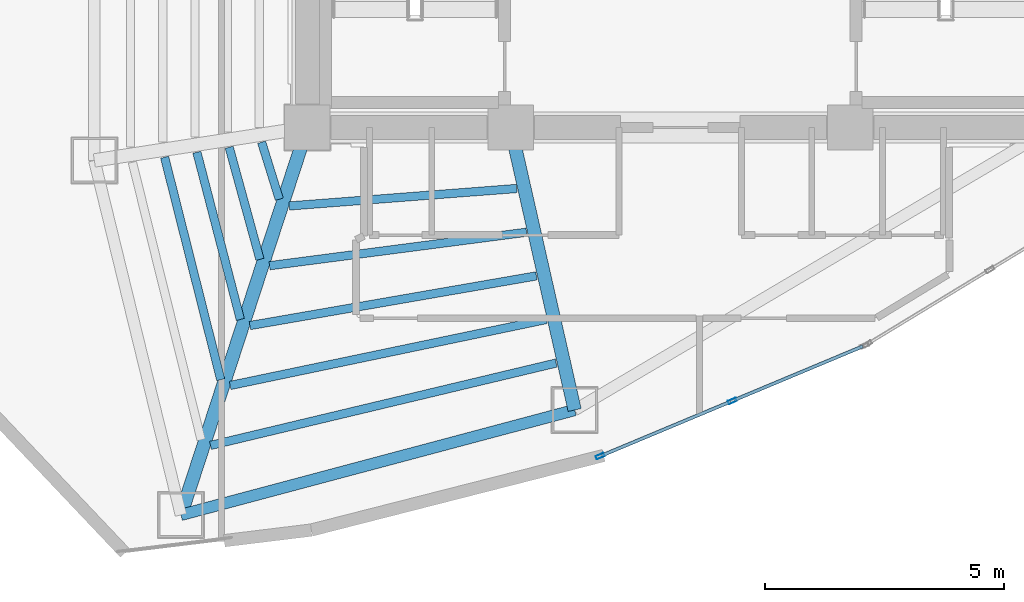
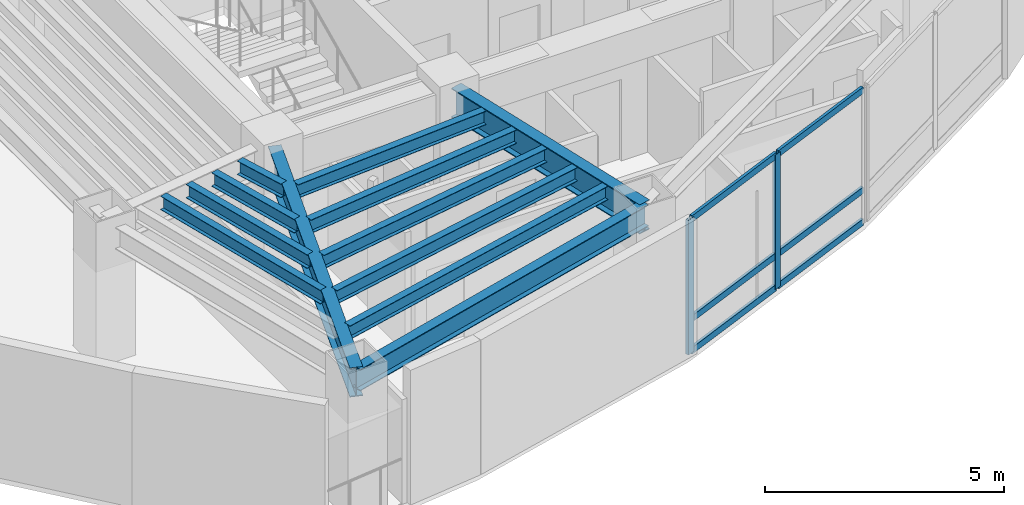
# One storey, part 3 of 16: 12 beams, 8 members, 1 element without a shape of its own.
"""IFC4 building model written with IfcOpenShell, lengths in metres."""

from ifc_helpers import new_model, si_unit, direction, frame, origin, origin_2d, place, context, subcontext, project, spatial, hollow_rectangle, i_section, extrude, material, layer, layer_set, material_profile, profile_set, type_object, element, aggregate, save


model = new_model("IFC4")

# Units and contexts
model_context = context("Model", 3, precision=1e-05, world=origin(), true_north=direction((0.0, 1.0)))
body_context = subcontext(model_context, "Body", "Model", "MODEL_VIEW")
ifc_project = project(units=[si_unit("LENGTHUNIT", "METRE"), si_unit("AREAUNIT", "SQUARE_METRE"), si_unit("VOLUMEUNIT", "CUBIC_METRE"), si_unit("PLANEANGLEUNIT", "RADIAN"), si_unit("MASSUNIT", "GRAM", prefix="KILO")], contexts=[model_context])

# Site, building, storey
site_placement = place(None, origin())
site = spatial("IfcSite", under=ifc_project, at=site_placement, CompositionType="ELEMENT")
building_placement = place(site_placement, origin())
building = spatial("IfcBuilding", under=site, at=building_placement, Name="Menara Vayukalpa", CompositionType="ELEMENT")
storey_placement = place(building_placement, frame((0.0, 0.0, 202.679931640625)))
storey = spatial("IfcBuildingStorey", under=building, at=storey_placement, Name="L51", CompositionType="ELEMENT", Elevation=202.679931640625)

# Beams
ifc_material_1 = material(Name="Steel S355", Category="steel")
ifc_material_profile_1 = material_profile(ifc_material_1, i_section(OverallWidth=0.280029296875, OverallDepth=0.75, WebThickness=0.013916015625, FlangeThickness=0.02490234375, at=origin_2d()), Name="WF 750x280x14x25")
ifc_profile_set_1 = profile_set([ifc_material_profile_1], Name="Steel S355")
beam_type_1 = type_object("IfcBeamType", Name="BM-PG4", PredefinedType="BEAM", material=ifc_profile_set_1)
beam_1_placement = place(storey_placement, frame((17.722412109375, 16.96240234375, 3.065185546875), z_axis=(-0.310343552153, -0.950624468251, 0.0), x_axis=(0.950624468251, -0.310343552153, 0.0)))
element("IfcBeam", 1, at=beam_1_placement, inside=storey, type_object=beam_type_1, Name="L51 Primary Radial Girder RG07", PredefinedType="BEAM", context=body_context, shape_type="SweptSolid", body=[
    extrude(i_section(OverallWidth=0.280029296875, OverallDepth=0.75, WebThickness=0.013916015625, FlangeThickness=0.02490234375, at=origin_2d()), origin(), (0.0, 0.0, 1.0), 8.2734375),
])
beam_2_placement = place(storey_placement, frame((22.105224609375, 16.956298828125, 3.065185546875), z_axis=(0.221085149161, -0.975254508741, 0.0), x_axis=(0.975254508741, 0.221085149161, 0.0)))
element("IfcBeam", 2, at=beam_2_placement, inside=storey, type_object=beam_type_1, Name="L51 Primary Radial Girder RG08", PredefinedType="BEAM", context=body_context, shape_type="SweptSolid", body=[
    extrude(i_section(OverallWidth=0.280029296875, OverallDepth=0.75, WebThickness=0.013916015625, FlangeThickness=0.02490234375, at=origin_2d()), origin(), (0.0, 0.0, 1.0), 5.80859375),
])
ifc_material_2 = material(Name="Steel S355", Category="steel")
ifc_material_profile_2 = material_profile(ifc_material_2, i_section(OverallWidth=0.175048828125, OverallDepth=0.35009765625, WebThickness=0.007080078125, FlangeThickness=0.010986328125, at=origin_2d()), Name="WF 350x175x7x11")
ifc_profile_set_2 = profile_set([ifc_material_profile_2], Name="Steel S355")
beam_type_2 = type_object("IfcBeamType", Name="BM-SJ3", PredefinedType="JOIST", material=ifc_profile_set_2)
beam_3_placement = place(storey_placement, frame((16.8427734375, 16.891845703125, 3.26513671875), z_axis=(0.296448419226, -0.955048865105, 0.0), x_axis=(0.955048865105, 0.296448419226, 0.0)))
element("IfcBeam", 3, at=beam_3_placement, inside=storey, type_object=beam_type_2, Name="L51 Secondary Floor Joist SJ06-1", PredefinedType="JOIST", context=body_context, shape_type="SweptSolid", body=[
    extrude(i_section(OverallWidth=0.175048828125, OverallDepth=0.35009765625, WebThickness=0.007080078125, FlangeThickness=0.010986328125, at=origin_2d()), origin(), (0.0, 0.0, 1.0), 1.24853515625),
])
beam_4_placement = place(storey_placement, frame((16.164306640625, 16.7861328125, 3.26513671875), z_axis=(0.264502665082, -0.964384954344, 0.0), x_axis=(0.964384954344, 0.264502665082, 0.0)))
element("IfcBeam", 4, at=beam_4_placement, inside=storey, type_object=beam_type_2, Name="L51 Secondary Floor Joist SJ06-2", PredefinedType="JOIST", context=body_context, shape_type="SweptSolid", body=[
    extrude(i_section(OverallWidth=0.175048828125, OverallDepth=0.35009765625, WebThickness=0.007080078125, FlangeThickness=0.010986328125, at=origin_2d()), origin(), (0.0, 0.0, 1.0), 2.430419921875),
])
beam_5_placement = place(storey_placement, frame((15.48876953125, 16.681396484375, 3.26513671875), z_axis=(0.251714869346, -0.967801438597, 0.0), x_axis=(0.967801438597, 0.251714869346, 0.0)))
element("IfcBeam", 5, at=beam_5_placement, inside=storey, type_object=beam_type_2, Name="L51 Secondary Floor Joist SJ06-3", PredefinedType="JOIST", context=body_context, shape_type="SweptSolid", body=[
    extrude(i_section(OverallWidth=0.175048828125, OverallDepth=0.35009765625, WebThickness=0.007080078125, FlangeThickness=0.010986328125, at=origin_2d()), origin(), (0.0, 0.0, 1.0), 3.61279296875),
])
beam_6_placement = place(storey_placement, frame((14.814208984375, 16.576904296875, 3.26513671875), z_axis=(0.24483447751, -0.969564891393, 0.0), x_axis=(0.969564891393, 0.24483447751, 0.0)))
element("IfcBeam", 6, at=beam_6_placement, inside=storey, type_object=beam_type_2, Name="L51 Secondary Floor Joist SJ06-4", PredefinedType="JOIST", context=body_context, shape_type="SweptSolid", body=[
    extrude(i_section(OverallWidth=0.175048828125, OverallDepth=0.35009765625, WebThickness=0.007080078125, FlangeThickness=0.010986328125, at=origin_2d()), origin(), (0.0, 0.0, 1.0), 4.79638671875),
])
beam_7_placement = place(storey_placement, frame((17.419921875, 15.558837890625, 3.26513671875), z_axis=(0.997061705182, 0.076602585202, 0.0), x_axis=(-0.076602585202, 0.997061705182, 0.0)))
element("IfcBeam", 7, at=beam_7_placement, inside=storey, type_object=beam_type_2, Name="L51 Secondary Floor Joist SJ07-1", PredefinedType="JOIST", context=body_context, shape_type="SweptSolid", body=[
    extrude(i_section(OverallWidth=0.175048828125, OverallDepth=0.35009765625, WebThickness=0.007080078125, FlangeThickness=0.010986328125, at=origin_2d()), origin(), (0.0, 0.0, 1.0), 4.77099609375),
])
beam_8_placement = place(storey_placement, frame((17.008056640625, 14.308837890625, 3.26513671875), z_axis=(0.99161070493, 0.129260240866, 0.0), x_axis=(-0.129260240866, 0.99161070493, 0.0)))
element("IfcBeam", 8, at=beam_8_placement, inside=storey, type_object=beam_type_2, Name="L51 Secondary Floor Joist SJ07-2", PredefinedType="JOIST", context=body_context, shape_type="SweptSolid", body=[
    extrude(i_section(OverallWidth=0.175048828125, OverallDepth=0.35009765625, WebThickness=0.007080078125, FlangeThickness=0.010986328125, at=origin_2d()), origin(), (0.0, 0.0, 1.0), 5.420654296875),
])
beam_9_placement = place(storey_placement, frame((16.59619140625, 13.05712890625, 3.26513671875), z_axis=(0.985288833054, 0.170897382832, 0.0), x_axis=(-0.170897382832, 0.985288833054, 0.0)))
element("IfcBeam", 9, at=beam_9_placement, inside=storey, type_object=beam_type_2, Name="L51 Secondary Floor Joist SJ07-3", PredefinedType="JOIST", context=body_context, shape_type="SweptSolid", body=[
    extrude(i_section(OverallWidth=0.175048828125, OverallDepth=0.35009765625, WebThickness=0.007080078125, FlangeThickness=0.010986328125, at=origin_2d()), origin(), (0.0, 0.0, 1.0), 6.0830078125),
])
beam_10_placement = place(storey_placement, frame((16.184326171875, 11.80419921875, 3.26513671875), z_axis=(0.97888709748, 0.204401688806, 0.0), x_axis=(-0.204401688806, 0.97888709748, 0.0)))
element("IfcBeam", 10, at=beam_10_placement, inside=storey, type_object=beam_type_2, Name="L51 Secondary Floor Joist SJ07-4", PredefinedType="JOIST", context=body_context, shape_type="SweptSolid", body=[
    extrude(i_section(OverallWidth=0.175048828125, OverallDepth=0.35009765625, WebThickness=0.007080078125, FlangeThickness=0.010986328125, at=origin_2d()), origin(), (0.0, 0.0, 1.0), 6.75439453125),
])
beam_11_placement = place(storey_placement, frame((15.772705078125, 10.55029296875, 3.26513671875), z_axis=(0.972731800574, 0.231932844055, 0.0), x_axis=(-0.231932844055, 0.972731800574, 0.0)))
element("IfcBeam", 11, at=beam_11_placement, inside=storey, type_object=beam_type_2, Name="L51 Secondary Floor Joist SJ07-5", PredefinedType="JOIST", context=body_context, shape_type="SweptSolid", body=[
    extrude(i_section(OverallWidth=0.175048828125, OverallDepth=0.35009765625, WebThickness=0.007080078125, FlangeThickness=0.010986328125, at=origin_2d()), origin(), (0.0, 0.0, 1.0), 7.4326171875),
])
ifc_material_3 = material(Name="Steel S355", Category="steel")
ifc_material_profile_3 = material_profile(ifc_material_3, i_section(OverallWidth=0.239990234375, OverallDepth=0.550048828125, WebThickness=0.010986328125, FlangeThickness=0.01904296875, at=origin_2d()), Name="WF 550x240x11x19")
ifc_profile_set_3 = profile_set([ifc_material_profile_3], Name="Steel S355")
beam_type_3 = type_object("IfcBeamType", Name="BM-SP2", PredefinedType="SPANDREL", material=ifc_profile_set_3)
beam_12_placement = place(storey_placement, frame((15.15478515625, 9.097412109375, 3.1650390625), z_axis=(0.966287699272, 0.25746472037, 0.0), x_axis=(-0.25746472037, 0.966287699272, 0.0)))
element("IfcBeam", 12, at=beam_12_placement, inside=storey, type_object=beam_type_3, Name="L51 Perimeter Spandrel Beam SP07", PredefinedType="SPANDREL", context=body_context, shape_type="SweptSolid", body=[
    extrude(i_section(OverallWidth=0.239990234375, OverallDepth=0.550048828125, WebThickness=0.010986328125, FlangeThickness=0.01904296875, at=origin_2d()), origin(), (0.0, 0.0, 1.0), 8.52197265625),
])

# Curtain wall, members
ifc_material_4 = material(Name="Anodised Terracotta Aluminium Alloy 6063-T6", Category="masonry")
ifc_layer = layer(ifc_material_4, 0.179931640625)
ifc_layer_set = layer_set([ifc_layer], Name="Anodised Terracotta Aluminium Alloy 6063-T6")
curtain_wall_type = type_object("IfcCurtainWallType", Name="CW-CW4", PredefinedType="USERDEFINED", material=ifc_layer_set)
curtain_wall_placement = place(storey_placement, origin())
curtain_wall = element("IfcCurtainWall", 13, at=curtain_wall_placement, inside=storey, type_object=curtain_wall_type, Name="L51 Sky Bar Cantilever Glazed Curtain Wall CW4 19", ObjectType="UNITISED", PredefinedType="USERDEFINED")
ifc_material_5 = material(Name="Anodised Terracotta Aluminium Alloy 6063-T6", Category="masonry")
ifc_material_profile_4 = material_profile(ifc_material_5, hollow_rectangle(XDim=0.074951171875, YDim=0.179931640625, WallThickness=0.00390625, at=origin_2d()), Name="ALU 75x180x4")
ifc_profile_set_4 = profile_set([ifc_material_profile_4], Name="Anodised Terracotta Aluminium Alloy 6063-T6")
member_type_1 = type_object("IfcMemberType", Name="CWM-CW4", PredefinedType="MULLION", material=ifc_profile_set_4)
member_1_placement = place(storey_placement, frame((23.923095703125, 10.325927734375, 0.0), z_axis=(0.0, 0.0, 1.0), x_axis=(-0.385902834406, 0.922539431351, 0.0)))
member_1 = element("IfcMember", 14, at=member_1_placement, type_object=member_type_1, Name="CW4 mullion 1", PredefinedType="MULLION", context=body_context, shape_type="SweptSolid", body=[
    extrude(hollow_rectangle(XDim=0.074951171875, YDim=0.179931640625, WallThickness=0.00390625, at=origin_2d()), origin(), (0.0, 0.0, 1.0), 3.440185546875),
])
member_2_placement = place(storey_placement, frame((26.686279296875, 11.481689453125, 0.0), z_axis=(0.0, 0.0, 1.0), x_axis=(-0.385902834406, 0.922539431351, 0.0)))
member_2 = element("IfcMember", 15, at=member_2_placement, type_object=member_type_1, Name="CW4 mullion 2", PredefinedType="MULLION", context=body_context, shape_type="SweptSolid", body=[
    extrude(hollow_rectangle(XDim=0.074951171875, YDim=0.179931640625, WallThickness=0.00390625, at=origin_2d()), origin(), (0.0, 0.0, 1.0), 3.440185546875),
])
ifc_material_6 = material(Name="Anodised Terracotta Aluminium Alloy 6063-T6", Category="masonry")
ifc_material_profile_5 = material_profile(ifc_material_6, hollow_rectangle(XDim=0.070068359375, YDim=0.1650390625, WallThickness=0.00390625, at=origin_2d()), Name="ALU 70x165x4")
ifc_profile_set_5 = profile_set([ifc_material_profile_5], Name="Anodised Terracotta Aluminium Alloy 6063-T6")
member_type_2 = type_object("IfcMemberType", Name="CWT-CW4", PredefinedType="USERDEFINED", material=ifc_profile_set_5)
member_3_placement = place(storey_placement, frame((23.957763671875, 10.34033203125, 0.03515625), z_axis=(0.922526843206, 0.38593292625, 0.0), x_axis=(-0.38593292625, 0.922526843206, 0.0)))
member_3 = element("IfcMember", 16, at=member_3_placement, type_object=member_type_2, Name="CW4 transom 1.1", ObjectType="TRANSOM", PredefinedType="USERDEFINED", context=body_context, shape_type="SweptSolid", body=[
    extrude(hollow_rectangle(XDim=0.070068359375, YDim=0.1650390625, WallThickness=0.00390625, at=origin_2d()), origin(), (0.0, 0.0, 1.0), 2.920166015625),
])
member_4_placement = place(storey_placement, frame((23.957763671875, 10.34033203125, 0.85009765625), z_axis=(0.922526843206, 0.38593292625, 0.0), x_axis=(-0.38593292625, 0.922526843206, 0.0)))
member_4 = element("IfcMember", 17, at=member_4_placement, type_object=member_type_2, Name="CW4 transom 1.2", ObjectType="TRANSOM", PredefinedType="USERDEFINED", context=body_context, shape_type="SweptSolid", body=[
    extrude(hollow_rectangle(XDim=0.070068359375, YDim=0.1650390625, WallThickness=0.00390625, at=origin_2d()), origin(), (0.0, 0.0, 1.0), 2.920166015625),
])
member_5_placement = place(storey_placement, frame((23.957763671875, 10.34033203125, 3.405029296875), z_axis=(0.922526843206, 0.38593292625, 0.0), x_axis=(-0.38593292625, 0.922526843206, 0.0)))
member_5 = element("IfcMember", 18, at=member_5_placement, type_object=member_type_2, Name="CW4 transom 1.3", ObjectType="TRANSOM", PredefinedType="USERDEFINED", context=body_context, shape_type="SweptSolid", body=[
    extrude(hollow_rectangle(XDim=0.070068359375, YDim=0.1650390625, WallThickness=0.00390625, at=origin_2d()), origin(), (0.0, 0.0, 1.0), 2.920166015625),
])
member_6_placement = place(storey_placement, frame((26.720703125, 11.49609375, 0.03515625), z_axis=(0.922526843206, 0.38593292625, 0.0), x_axis=(-0.38593292625, 0.922526843206, 0.0)))
member_6 = element("IfcMember", 19, at=member_6_placement, type_object=member_type_2, Name="CW4 transom 2.1", ObjectType="TRANSOM", PredefinedType="USERDEFINED", context=body_context, shape_type="SweptSolid", body=[
    extrude(hollow_rectangle(XDim=0.070068359375, YDim=0.1650390625, WallThickness=0.00390625, at=origin_2d()), origin(), (0.0, 0.0, 1.0), 2.920166015625),
])
member_7_placement = place(storey_placement, frame((26.720703125, 11.49609375, 0.85009765625), z_axis=(0.922526843206, 0.38593292625, 0.0), x_axis=(-0.38593292625, 0.922526843206, 0.0)))
member_7 = element("IfcMember", 20, at=member_7_placement, type_object=member_type_2, Name="CW4 transom 2.2", ObjectType="TRANSOM", PredefinedType="USERDEFINED", context=body_context, shape_type="SweptSolid", body=[
    extrude(hollow_rectangle(XDim=0.070068359375, YDim=0.1650390625, WallThickness=0.00390625, at=origin_2d()), origin(), (0.0, 0.0, 1.0), 2.920166015625),
])
member_8_placement = place(storey_placement, frame((26.720703125, 11.49609375, 3.405029296875), z_axis=(0.922526843206, 0.38593292625, 0.0), x_axis=(-0.38593292625, 0.922526843206, 0.0)))
member_8 = element("IfcMember", 21, at=member_8_placement, type_object=member_type_2, Name="CW4 transom 2.3", ObjectType="TRANSOM", PredefinedType="USERDEFINED", context=body_context, shape_type="SweptSolid", body=[
    extrude(hollow_rectangle(XDim=0.070068359375, YDim=0.1650390625, WallThickness=0.00390625, at=origin_2d()), origin(), (0.0, 0.0, 1.0), 2.920166015625),
])
aggregate(curtain_wall, [member_1, member_2, member_3, member_4, member_5, member_6, member_7, member_8])

save(model, "model.ifc")
